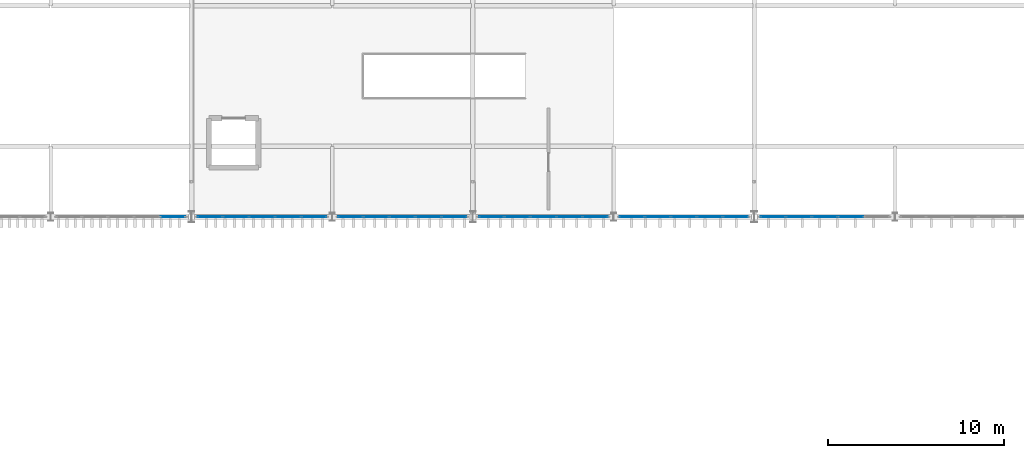
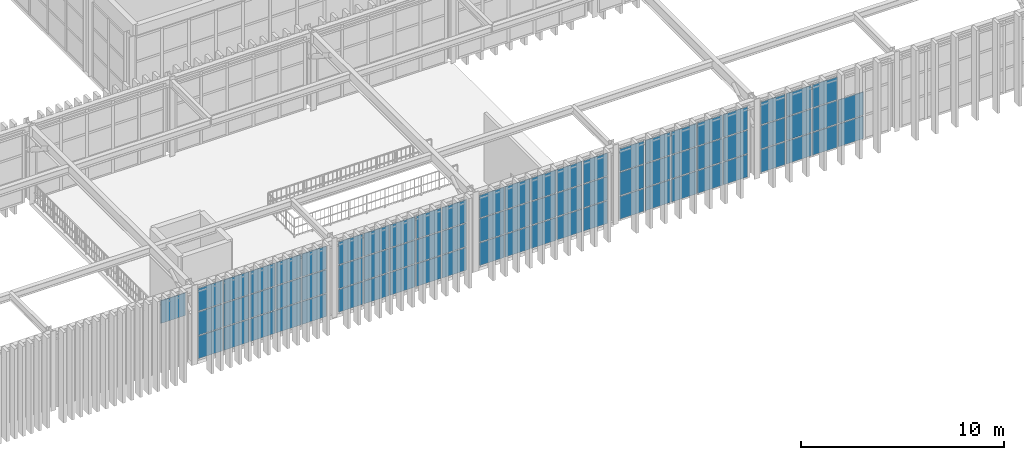
# One storey, part 38 of 61: 72 plates, 6 elements without a shape of their own.
"""IFC4 building model written with IfcOpenShell, lengths in metres."""

from ifc_helpers import new_model, si_unit, direction, frame, origin, origin_2d, place, context, subcontext, project, spatial, rectangle, extrude, material, layer, layer_set, type_object, element, aggregate, save


model = new_model("IFC4")

# Units and contexts
model_context = context("Model", 3, precision=1e-05, world=origin(), true_north=direction((0.0, 1.0)))
body_context = subcontext(model_context, "Body", "Model", "MODEL_VIEW")
ifc_project = project(units=[si_unit("LENGTHUNIT", "METRE"), si_unit("AREAUNIT", "SQUARE_METRE"), si_unit("VOLUMEUNIT", "CUBIC_METRE"), si_unit("PLANEANGLEUNIT", "RADIAN"), si_unit("MASSUNIT", "GRAM", prefix="KILO")], contexts=[model_context])

# Site, building, storey
site_placement = place(None, origin())
site = spatial("IfcSite", under=ifc_project, at=site_placement, CompositionType="ELEMENT")
building_placement = place(site_placement, origin())
building = spatial("IfcBuilding", under=site, at=building_placement, Name="Serraluz Foothill Cableway Terminal", CompositionType="ELEMENT")
storey_placement = place(building_placement, frame((0.0, 0.0, 15.0)))
storey = spatial("IfcBuildingStorey", under=building, at=storey_placement, Name="L03", CompositionType="ELEMENT", Elevation=15.0)

# Curtain wall, plate
ifc_material_1 = material(Name="Architectural bronze alloy C28000", Category="aluminium")
curtain_wall_type_1 = type_object("IfcCurtainWallType", Name="TYP-CW-620X420", PredefinedType="NOTDEFINED", material=ifc_material_1)
curtain_wall_1_placement = place(storey_placement, origin())
curtain_wall_1 = element("IfcCurtainWall", 1, at=curtain_wall_1_placement, inside=storey, type_object=curtain_wall_type_1, Name="Ribbed Glazed Curtain Wall CW-V1S-L03-64", PredefinedType="NOTDEFINED")
ifc_material_2 = material(Name="Translucent ribbed laminated channel glass", Category="glass")
ifc_layer = layer(ifc_material_2, 0.0419921875, Name="Translucent ribbed laminated channel glass", Category="glass")
ifc_layer_set = layer_set([ifc_layer], Name="Translucent ribbed laminated channel glass")
plate_type = type_object("IfcPlateType", Name="TYP-CW-PNL-42", PredefinedType="CURTAIN_PANEL", material=ifc_layer_set)
plate_1_placement = place(storey_placement, frame((70.94091796875, 56.0, 2.93017578125), z_axis=(0.0, 0.0, 1.0), x_axis=(-1.0, 0.0, 0.0)))
plate_1 = element("IfcPlate", 2, at=plate_1_placement, type_object=plate_type, Name="CW-11 panel 1.3", PredefinedType="CURTAIN_PANEL", context=body_context, shape_type="SweptSolid", body=[
    extrude(rectangle(XDim=1.393310546875, YDim=0.0419921875, at=origin_2d()), origin(), (0.0, 0.0, 1.0), 1.360107421875),
])
aggregate(curtain_wall_1, [plate_1])

# Curtain wall, plates
curtain_wall_type_2 = type_object("IfcCurtainWallType", Name="TYP-CW-640X440", PredefinedType="NOTDEFINED", material=ifc_material_1)
curtain_wall_2_placement = place(storey_placement, origin())
curtain_wall_2 = element("IfcCurtainWall", 3, at=curtain_wall_2_placement, inside=storey, type_object=curtain_wall_type_2, Name="Ribbed Glazed Curtain Wall CW-V1S-L03-72", PredefinedType="NOTDEFINED")
plate_2_placement = place(storey_placement, frame((78.9619140625, 56.0, 0.06005859375), z_axis=(0.0, 0.0, 1.0), x_axis=(-1.0, 0.0, 0.0)))
plate_2 = element("IfcPlate", 4, at=plate_2_placement, type_object=plate_type, Name="CW-12 panel 1.1", PredefinedType="CURTAIN_PANEL", context=body_context, shape_type="SweptSolid", body=[
    extrude(rectangle(XDim=1.393310546875, YDim=0.0419921875, at=origin_2d()), origin(), (0.0, 0.0, 1.0), 1.360107421875),
])
plate_3_placement = place(storey_placement, frame((78.9619140625, 56.0, 1.47998046875), z_axis=(0.0, 0.0, 1.0), x_axis=(-1.0, 0.0, 0.0)))
plate_3 = element("IfcPlate", 5, at=plate_3_placement, type_object=plate_type, Name="CW-12 panel 1.2", PredefinedType="CURTAIN_PANEL", context=body_context, shape_type="SweptSolid", body=[
    extrude(rectangle(XDim=1.393310546875, YDim=0.0419921875, at=origin_2d()), origin(), (0.0, 0.0, 1.0), 1.389892578125),
])
plate_4_placement = place(storey_placement, frame((78.9619140625, 56.0, 2.93017578125), z_axis=(0.0, 0.0, 1.0), x_axis=(-1.0, 0.0, 0.0)))
plate_4 = element("IfcPlate", 6, at=plate_4_placement, type_object=plate_type, Name="CW-12 panel 1.3", PredefinedType="CURTAIN_PANEL", context=body_context, shape_type="SweptSolid", body=[
    extrude(rectangle(XDim=1.393310546875, YDim=0.0419921875, at=origin_2d()), origin(), (0.0, 0.0, 1.0), 1.360107421875),
])
plate_5_placement = place(storey_placement, frame((77.49365234375, 56.0, 0.06005859375), z_axis=(0.0, 0.0, 1.0), x_axis=(-1.0, 0.0, 0.0)))
plate_5 = element("IfcPlate", 7, at=plate_5_placement, type_object=plate_type, Name="CW-12 panel 2.1", PredefinedType="CURTAIN_PANEL", context=body_context, shape_type="SweptSolid", body=[
    extrude(rectangle(XDim=1.423095703125, YDim=0.0419921875, at=origin_2d()), origin(), (0.0, 0.0, 1.0), 1.360107421875),
])
plate_6_placement = place(storey_placement, frame((77.49365234375, 56.0, 1.47998046875), z_axis=(0.0, 0.0, 1.0), x_axis=(-1.0, 0.0, 0.0)))
plate_6 = element("IfcPlate", 8, at=plate_6_placement, type_object=plate_type, Name="CW-12 panel 2.2", PredefinedType="CURTAIN_PANEL", context=body_context, shape_type="SweptSolid", body=[
    extrude(rectangle(XDim=1.423095703125, YDim=0.0419921875, at=origin_2d()), origin(), (0.0, 0.0, 1.0), 1.389892578125),
])
plate_7_placement = place(storey_placement, frame((77.49365234375, 56.0, 2.93017578125), z_axis=(0.0, 0.0, 1.0), x_axis=(-1.0, 0.0, 0.0)))
plate_7 = element("IfcPlate", 9, at=plate_7_placement, type_object=plate_type, Name="CW-12 panel 2.3", PredefinedType="CURTAIN_PANEL", context=body_context, shape_type="SweptSolid", body=[
    extrude(rectangle(XDim=1.423095703125, YDim=0.0419921875, at=origin_2d()), origin(), (0.0, 0.0, 1.0), 1.360107421875),
])
plate_8_placement = place(storey_placement, frame((76.010498046875, 56.0, 0.06005859375), z_axis=(0.0, 0.0, 1.0), x_axis=(-1.0, 0.0, 0.0)))
plate_8 = element("IfcPlate", 10, at=plate_8_placement, type_object=plate_type, Name="CW-12 panel 3.1", PredefinedType="CURTAIN_PANEL", context=body_context, shape_type="SweptSolid", body=[
    extrude(rectangle(XDim=1.423095703125, YDim=0.0419921875, at=origin_2d()), origin(), (0.0, 0.0, 1.0), 1.360107421875),
])
plate_9_placement = place(storey_placement, frame((76.010498046875, 56.0, 1.47998046875), z_axis=(0.0, 0.0, 1.0), x_axis=(-1.0, 0.0, 0.0)))
plate_9 = element("IfcPlate", 11, at=plate_9_placement, type_object=plate_type, Name="CW-12 panel 3.2", PredefinedType="CURTAIN_PANEL", context=body_context, shape_type="SweptSolid", body=[
    extrude(rectangle(XDim=1.423095703125, YDim=0.0419921875, at=origin_2d()), origin(), (0.0, 0.0, 1.0), 1.389892578125),
])
plate_10_placement = place(storey_placement, frame((76.010498046875, 56.0, 2.93017578125), z_axis=(0.0, 0.0, 1.0), x_axis=(-1.0, 0.0, 0.0)))
plate_10 = element("IfcPlate", 12, at=plate_10_placement, type_object=plate_type, Name="CW-12 panel 3.3", PredefinedType="CURTAIN_PANEL", context=body_context, shape_type="SweptSolid", body=[
    extrude(rectangle(XDim=1.423095703125, YDim=0.0419921875, at=origin_2d()), origin(), (0.0, 0.0, 1.0), 1.360107421875),
])
plate_11_placement = place(storey_placement, frame((74.52734375, 56.0, 0.06005859375), z_axis=(0.0, 0.0, 1.0), x_axis=(-1.0, 0.0, 0.0)))
plate_11 = element("IfcPlate", 13, at=plate_11_placement, type_object=plate_type, Name="CW-12 panel 4.1", PredefinedType="CURTAIN_PANEL", context=body_context, shape_type="SweptSolid", body=[
    extrude(rectangle(XDim=1.423095703125, YDim=0.0419921875, at=origin_2d()), origin(), (0.0, 0.0, 1.0), 1.360107421875),
])
plate_12_placement = place(storey_placement, frame((74.52734375, 56.0, 1.47998046875), z_axis=(0.0, 0.0, 1.0), x_axis=(-1.0, 0.0, 0.0)))
plate_12 = element("IfcPlate", 14, at=plate_12_placement, type_object=plate_type, Name="CW-12 panel 4.2", PredefinedType="CURTAIN_PANEL", context=body_context, shape_type="SweptSolid", body=[
    extrude(rectangle(XDim=1.423095703125, YDim=0.0419921875, at=origin_2d()), origin(), (0.0, 0.0, 1.0), 1.389892578125),
])
plate_13_placement = place(storey_placement, frame((74.52734375, 56.0, 2.93017578125), z_axis=(0.0, 0.0, 1.0), x_axis=(-1.0, 0.0, 0.0)))
plate_13 = element("IfcPlate", 15, at=plate_13_placement, type_object=plate_type, Name="CW-12 panel 4.3", PredefinedType="CURTAIN_PANEL", context=body_context, shape_type="SweptSolid", body=[
    extrude(rectangle(XDim=1.423095703125, YDim=0.0419921875, at=origin_2d()), origin(), (0.0, 0.0, 1.0), 1.360107421875),
])
plate_14_placement = place(storey_placement, frame((73.05908203125, 56.0, 0.06005859375), z_axis=(0.0, 0.0, 1.0), x_axis=(-1.0, 0.0, 0.0)))
plate_14 = element("IfcPlate", 16, at=plate_14_placement, type_object=plate_type, Name="CW-12 panel 5.1", PredefinedType="CURTAIN_PANEL", context=body_context, shape_type="SweptSolid", body=[
    extrude(rectangle(XDim=1.393310546875, YDim=0.0419921875, at=origin_2d()), origin(), (0.0, 0.0, 1.0), 1.360107421875),
])
plate_15_placement = place(storey_placement, frame((73.05908203125, 56.0, 1.47998046875), z_axis=(0.0, 0.0, 1.0), x_axis=(-1.0, 0.0, 0.0)))
plate_15 = element("IfcPlate", 17, at=plate_15_placement, type_object=plate_type, Name="CW-12 panel 5.2", PredefinedType="CURTAIN_PANEL", context=body_context, shape_type="SweptSolid", body=[
    extrude(rectangle(XDim=1.393310546875, YDim=0.0419921875, at=origin_2d()), origin(), (0.0, 0.0, 1.0), 1.389892578125),
])
plate_16_placement = place(storey_placement, frame((73.05908203125, 56.0, 2.93017578125), z_axis=(0.0, 0.0, 1.0), x_axis=(-1.0, 0.0, 0.0)))
plate_16 = element("IfcPlate", 18, at=plate_16_placement, type_object=plate_type, Name="CW-12 panel 5.3", PredefinedType="CURTAIN_PANEL", context=body_context, shape_type="SweptSolid", body=[
    extrude(rectangle(XDim=1.393310546875, YDim=0.0419921875, at=origin_2d()), origin(), (0.0, 0.0, 1.0), 1.360107421875),
])
aggregate(curtain_wall_2, [plate_2, plate_3, plate_4, plate_5, plate_6, plate_7, plate_8, plate_9, plate_10, plate_11, plate_12, plate_13, plate_14, plate_15, plate_16])

curtain_wall_type_3 = type_object("IfcCurtainWallType", Name="TYP-CW-680X420", PredefinedType="NOTDEFINED", material=ifc_material_1)
curtain_wall_3_placement = place(storey_placement, origin())
curtain_wall_3 = element("IfcCurtainWall", 19, at=curtain_wall_3_placement, inside=storey, type_object=curtain_wall_type_3, Name="Ribbed Glazed Curtain Wall CW-V1S-L03-80", PredefinedType="NOTDEFINED")
plate_17_placement = place(storey_placement, frame((86.94091796875, 56.0, 0.06005859375), z_axis=(0.0, 0.0, 1.0), x_axis=(-1.0, 0.0, 0.0)))
plate_17 = element("IfcPlate", 20, at=plate_17_placement, type_object=plate_type, Name="CW-13 panel 1.1", PredefinedType="CURTAIN_PANEL", context=body_context, shape_type="SweptSolid", body=[
    extrude(rectangle(XDim=1.393310546875, YDim=0.0419921875, at=origin_2d()), origin(), (0.0, 0.0, 1.0), 1.360107421875),
])
plate_18_placement = place(storey_placement, frame((86.94091796875, 56.0, 1.47998046875), z_axis=(0.0, 0.0, 1.0), x_axis=(-1.0, 0.0, 0.0)))
plate_18 = element("IfcPlate", 21, at=plate_18_placement, type_object=plate_type, Name="CW-13 panel 1.2", PredefinedType="CURTAIN_PANEL", context=body_context, shape_type="SweptSolid", body=[
    extrude(rectangle(XDim=1.393310546875, YDim=0.0419921875, at=origin_2d()), origin(), (0.0, 0.0, 1.0), 1.389892578125),
])
plate_19_placement = place(storey_placement, frame((86.94091796875, 56.0, 2.93017578125), z_axis=(0.0, 0.0, 1.0), x_axis=(-1.0, 0.0, 0.0)))
plate_19 = element("IfcPlate", 22, at=plate_19_placement, type_object=plate_type, Name="CW-13 panel 1.3", PredefinedType="CURTAIN_PANEL", context=body_context, shape_type="SweptSolid", body=[
    extrude(rectangle(XDim=1.393310546875, YDim=0.0419921875, at=origin_2d()), origin(), (0.0, 0.0, 1.0), 1.360107421875),
])
plate_20_placement = place(storey_placement, frame((85.47265625, 56.0, 0.06005859375), z_axis=(0.0, 0.0, 1.0), x_axis=(-1.0, 0.0, 0.0)))
plate_20 = element("IfcPlate", 23, at=plate_20_placement, type_object=plate_type, Name="CW-13 panel 2.1", PredefinedType="CURTAIN_PANEL", context=body_context, shape_type="SweptSolid", body=[
    extrude(rectangle(XDim=1.423095703125, YDim=0.0419921875, at=origin_2d()), origin(), (0.0, 0.0, 1.0), 1.360107421875),
])
plate_21_placement = place(storey_placement, frame((85.47265625, 56.0, 1.47998046875), z_axis=(0.0, 0.0, 1.0), x_axis=(-1.0, 0.0, 0.0)))
plate_21 = element("IfcPlate", 24, at=plate_21_placement, type_object=plate_type, Name="CW-13 panel 2.2", PredefinedType="CURTAIN_PANEL", context=body_context, shape_type="SweptSolid", body=[
    extrude(rectangle(XDim=1.423095703125, YDim=0.0419921875, at=origin_2d()), origin(), (0.0, 0.0, 1.0), 1.389892578125),
])
plate_22_placement = place(storey_placement, frame((85.47265625, 56.0, 2.93017578125), z_axis=(0.0, 0.0, 1.0), x_axis=(-1.0, 0.0, 0.0)))
plate_22 = element("IfcPlate", 25, at=plate_22_placement, type_object=plate_type, Name="CW-13 panel 2.3", PredefinedType="CURTAIN_PANEL", context=body_context, shape_type="SweptSolid", body=[
    extrude(rectangle(XDim=1.423095703125, YDim=0.0419921875, at=origin_2d()), origin(), (0.0, 0.0, 1.0), 1.360107421875),
])
plate_23_placement = place(storey_placement, frame((83.989501953125, 56.0, 0.06005859375), z_axis=(0.0, 0.0, 1.0), x_axis=(-1.0, 0.0, 0.0)))
plate_23 = element("IfcPlate", 26, at=plate_23_placement, type_object=plate_type, Name="CW-13 panel 3.1", PredefinedType="CURTAIN_PANEL", context=body_context, shape_type="SweptSolid", body=[
    extrude(rectangle(XDim=1.423095703125, YDim=0.0419921875, at=origin_2d()), origin(), (0.0, 0.0, 1.0), 1.360107421875),
])
plate_24_placement = place(storey_placement, frame((83.989501953125, 56.0, 1.47998046875), z_axis=(0.0, 0.0, 1.0), x_axis=(-1.0, 0.0, 0.0)))
plate_24 = element("IfcPlate", 27, at=plate_24_placement, type_object=plate_type, Name="CW-13 panel 3.2", PredefinedType="CURTAIN_PANEL", context=body_context, shape_type="SweptSolid", body=[
    extrude(rectangle(XDim=1.423095703125, YDim=0.0419921875, at=origin_2d()), origin(), (0.0, 0.0, 1.0), 1.389892578125),
])
plate_25_placement = place(storey_placement, frame((83.989501953125, 56.0, 2.93017578125), z_axis=(0.0, 0.0, 1.0), x_axis=(-1.0, 0.0, 0.0)))
plate_25 = element("IfcPlate", 28, at=plate_25_placement, type_object=plate_type, Name="CW-13 panel 3.3", PredefinedType="CURTAIN_PANEL", context=body_context, shape_type="SweptSolid", body=[
    extrude(rectangle(XDim=1.423095703125, YDim=0.0419921875, at=origin_2d()), origin(), (0.0, 0.0, 1.0), 1.360107421875),
])
plate_26_placement = place(storey_placement, frame((82.50634765625, 56.0, 0.06005859375), z_axis=(0.0, 0.0, 1.0), x_axis=(-1.0, 0.0, 0.0)))
plate_26 = element("IfcPlate", 29, at=plate_26_placement, type_object=plate_type, Name="CW-13 panel 4.1", PredefinedType="CURTAIN_PANEL", context=body_context, shape_type="SweptSolid", body=[
    extrude(rectangle(XDim=1.423095703125, YDim=0.0419921875, at=origin_2d()), origin(), (0.0, 0.0, 1.0), 1.360107421875),
])
plate_27_placement = place(storey_placement, frame((82.50634765625, 56.0, 1.47998046875), z_axis=(0.0, 0.0, 1.0), x_axis=(-1.0, 0.0, 0.0)))
plate_27 = element("IfcPlate", 30, at=plate_27_placement, type_object=plate_type, Name="CW-13 panel 4.2", PredefinedType="CURTAIN_PANEL", context=body_context, shape_type="SweptSolid", body=[
    extrude(rectangle(XDim=1.423095703125, YDim=0.0419921875, at=origin_2d()), origin(), (0.0, 0.0, 1.0), 1.389892578125),
])
plate_28_placement = place(storey_placement, frame((82.50634765625, 56.0, 2.93017578125), z_axis=(0.0, 0.0, 1.0), x_axis=(-1.0, 0.0, 0.0)))
plate_28 = element("IfcPlate", 31, at=plate_28_placement, type_object=plate_type, Name="CW-13 panel 4.3", PredefinedType="CURTAIN_PANEL", context=body_context, shape_type="SweptSolid", body=[
    extrude(rectangle(XDim=1.423095703125, YDim=0.0419921875, at=origin_2d()), origin(), (0.0, 0.0, 1.0), 1.360107421875),
])
plate_29_placement = place(storey_placement, frame((81.0380859375, 56.0, 0.06005859375), z_axis=(0.0, 0.0, 1.0), x_axis=(-1.0, 0.0, 0.0)))
plate_29 = element("IfcPlate", 32, at=plate_29_placement, type_object=plate_type, Name="CW-13 panel 5.1", PredefinedType="CURTAIN_PANEL", context=body_context, shape_type="SweptSolid", body=[
    extrude(rectangle(XDim=1.393310546875, YDim=0.0419921875, at=origin_2d()), origin(), (0.0, 0.0, 1.0), 1.360107421875),
])
plate_30_placement = place(storey_placement, frame((81.0380859375, 56.0, 1.47998046875), z_axis=(0.0, 0.0, 1.0), x_axis=(-1.0, 0.0, 0.0)))
plate_30 = element("IfcPlate", 33, at=plate_30_placement, type_object=plate_type, Name="CW-13 panel 5.2", PredefinedType="CURTAIN_PANEL", context=body_context, shape_type="SweptSolid", body=[
    extrude(rectangle(XDim=1.393310546875, YDim=0.0419921875, at=origin_2d()), origin(), (0.0, 0.0, 1.0), 1.389892578125),
])
plate_31_placement = place(storey_placement, frame((81.0380859375, 56.0, 2.93017578125), z_axis=(0.0, 0.0, 1.0), x_axis=(-1.0, 0.0, 0.0)))
plate_31 = element("IfcPlate", 34, at=plate_31_placement, type_object=plate_type, Name="CW-13 panel 5.3", PredefinedType="CURTAIN_PANEL", context=body_context, shape_type="SweptSolid", body=[
    extrude(rectangle(XDim=1.393310546875, YDim=0.0419921875, at=origin_2d()), origin(), (0.0, 0.0, 1.0), 1.360107421875),
])
aggregate(curtain_wall_3, [plate_17, plate_18, plate_19, plate_20, plate_21, plate_22, plate_23, plate_24, plate_25, plate_26, plate_27, plate_28, plate_29, plate_30, plate_31])

curtain_wall_type_4 = type_object("IfcCurtainWallType", Name="TYP-CW-480X380", PredefinedType="NOTDEFINED", material=ifc_material_1)
curtain_wall_4_placement = place(storey_placement, origin())
curtain_wall_4 = element("IfcCurtainWall", 35, at=curtain_wall_4_placement, inside=storey, type_object=curtain_wall_type_4, Name="Ribbed Glazed Curtain Wall CW-V1S-L03-88", PredefinedType="NOTDEFINED")
plate_32_placement = place(storey_placement, frame((94.9619140625, 56.0, 0.06005859375), z_axis=(0.0, 0.0, 1.0), x_axis=(-1.0, 0.0, 0.0)))
plate_32 = element("IfcPlate", 36, at=plate_32_placement, type_object=plate_type, Name="CW-14 panel 1.1", PredefinedType="CURTAIN_PANEL", context=body_context, shape_type="SweptSolid", body=[
    extrude(rectangle(XDim=1.393310546875, YDim=0.0419921875, at=origin_2d()), origin(), (0.0, 0.0, 1.0), 1.360107421875),
])
plate_33_placement = place(storey_placement, frame((94.9619140625, 56.0, 1.47998046875), z_axis=(0.0, 0.0, 1.0), x_axis=(-1.0, 0.0, 0.0)))
plate_33 = element("IfcPlate", 37, at=plate_33_placement, type_object=plate_type, Name="CW-14 panel 1.2", PredefinedType="CURTAIN_PANEL", context=body_context, shape_type="SweptSolid", body=[
    extrude(rectangle(XDim=1.393310546875, YDim=0.0419921875, at=origin_2d()), origin(), (0.0, 0.0, 1.0), 1.389892578125),
])
plate_34_placement = place(storey_placement, frame((94.9619140625, 56.0, 2.93017578125), z_axis=(0.0, 0.0, 1.0), x_axis=(-1.0, 0.0, 0.0)))
plate_34 = element("IfcPlate", 38, at=plate_34_placement, type_object=plate_type, Name="CW-14 panel 1.3", PredefinedType="CURTAIN_PANEL", context=body_context, shape_type="SweptSolid", body=[
    extrude(rectangle(XDim=1.393310546875, YDim=0.0419921875, at=origin_2d()), origin(), (0.0, 0.0, 1.0), 1.360107421875),
])
plate_35_placement = place(storey_placement, frame((93.49365234375, 56.0, 0.06005859375), z_axis=(0.0, 0.0, 1.0), x_axis=(-1.0, 0.0, 0.0)))
plate_35 = element("IfcPlate", 39, at=plate_35_placement, type_object=plate_type, Name="CW-14 panel 2.1", PredefinedType="CURTAIN_PANEL", context=body_context, shape_type="SweptSolid", body=[
    extrude(rectangle(XDim=1.423095703125, YDim=0.0419921875, at=origin_2d()), origin(), (0.0, 0.0, 1.0), 1.360107421875),
])
plate_36_placement = place(storey_placement, frame((93.49365234375, 56.0, 1.47998046875), z_axis=(0.0, 0.0, 1.0), x_axis=(-1.0, 0.0, 0.0)))
plate_36 = element("IfcPlate", 40, at=plate_36_placement, type_object=plate_type, Name="CW-14 panel 2.2", PredefinedType="CURTAIN_PANEL", context=body_context, shape_type="SweptSolid", body=[
    extrude(rectangle(XDim=1.423095703125, YDim=0.0419921875, at=origin_2d()), origin(), (0.0, 0.0, 1.0), 1.389892578125),
])
plate_37_placement = place(storey_placement, frame((93.49365234375, 56.0, 2.93017578125), z_axis=(0.0, 0.0, 1.0), x_axis=(-1.0, 0.0, 0.0)))
plate_37 = element("IfcPlate", 41, at=plate_37_placement, type_object=plate_type, Name="CW-14 panel 2.3", PredefinedType="CURTAIN_PANEL", context=body_context, shape_type="SweptSolid", body=[
    extrude(rectangle(XDim=1.423095703125, YDim=0.0419921875, at=origin_2d()), origin(), (0.0, 0.0, 1.0), 1.360107421875),
])
plate_38_placement = place(storey_placement, frame((92.010498046875, 56.0, 0.06005859375), z_axis=(0.0, 0.0, 1.0), x_axis=(-1.0, 0.0, 0.0)))
plate_38 = element("IfcPlate", 42, at=plate_38_placement, type_object=plate_type, Name="CW-14 panel 3.1", PredefinedType="CURTAIN_PANEL", context=body_context, shape_type="SweptSolid", body=[
    extrude(rectangle(XDim=1.423095703125, YDim=0.0419921875, at=origin_2d()), origin(), (0.0, 0.0, 1.0), 1.360107421875),
])
plate_39_placement = place(storey_placement, frame((92.010498046875, 56.0, 1.47998046875), z_axis=(0.0, 0.0, 1.0), x_axis=(-1.0, 0.0, 0.0)))
plate_39 = element("IfcPlate", 43, at=plate_39_placement, type_object=plate_type, Name="CW-14 panel 3.2", PredefinedType="CURTAIN_PANEL", context=body_context, shape_type="SweptSolid", body=[
    extrude(rectangle(XDim=1.423095703125, YDim=0.0419921875, at=origin_2d()), origin(), (0.0, 0.0, 1.0), 1.389892578125),
])
plate_40_placement = place(storey_placement, frame((92.010498046875, 56.0, 2.93017578125), z_axis=(0.0, 0.0, 1.0), x_axis=(-1.0, 0.0, 0.0)))
plate_40 = element("IfcPlate", 44, at=plate_40_placement, type_object=plate_type, Name="CW-14 panel 3.3", PredefinedType="CURTAIN_PANEL", context=body_context, shape_type="SweptSolid", body=[
    extrude(rectangle(XDim=1.423095703125, YDim=0.0419921875, at=origin_2d()), origin(), (0.0, 0.0, 1.0), 1.360107421875),
])
plate_41_placement = place(storey_placement, frame((90.52734375, 56.0, 0.06005859375), z_axis=(0.0, 0.0, 1.0), x_axis=(-1.0, 0.0, 0.0)))
plate_41 = element("IfcPlate", 45, at=plate_41_placement, type_object=plate_type, Name="CW-14 panel 4.1", PredefinedType="CURTAIN_PANEL", context=body_context, shape_type="SweptSolid", body=[
    extrude(rectangle(XDim=1.423095703125, YDim=0.0419921875, at=origin_2d()), origin(), (0.0, 0.0, 1.0), 1.360107421875),
])
plate_42_placement = place(storey_placement, frame((90.52734375, 56.0, 1.47998046875), z_axis=(0.0, 0.0, 1.0), x_axis=(-1.0, 0.0, 0.0)))
plate_42 = element("IfcPlate", 46, at=plate_42_placement, type_object=plate_type, Name="CW-14 panel 4.2", PredefinedType="CURTAIN_PANEL", context=body_context, shape_type="SweptSolid", body=[
    extrude(rectangle(XDim=1.423095703125, YDim=0.0419921875, at=origin_2d()), origin(), (0.0, 0.0, 1.0), 1.389892578125),
])
plate_43_placement = place(storey_placement, frame((90.52734375, 56.0, 2.93017578125), z_axis=(0.0, 0.0, 1.0), x_axis=(-1.0, 0.0, 0.0)))
plate_43 = element("IfcPlate", 47, at=plate_43_placement, type_object=plate_type, Name="CW-14 panel 4.3", PredefinedType="CURTAIN_PANEL", context=body_context, shape_type="SweptSolid", body=[
    extrude(rectangle(XDim=1.423095703125, YDim=0.0419921875, at=origin_2d()), origin(), (0.0, 0.0, 1.0), 1.360107421875),
])
plate_44_placement = place(storey_placement, frame((89.05908203125, 56.0, 0.06005859375), z_axis=(0.0, 0.0, 1.0), x_axis=(-1.0, 0.0, 0.0)))
plate_44 = element("IfcPlate", 48, at=plate_44_placement, type_object=plate_type, Name="CW-14 panel 5.1", PredefinedType="CURTAIN_PANEL", context=body_context, shape_type="SweptSolid", body=[
    extrude(rectangle(XDim=1.393310546875, YDim=0.0419921875, at=origin_2d()), origin(), (0.0, 0.0, 1.0), 1.360107421875),
])
plate_45_placement = place(storey_placement, frame((89.05908203125, 56.0, 1.47998046875), z_axis=(0.0, 0.0, 1.0), x_axis=(-1.0, 0.0, 0.0)))
plate_45 = element("IfcPlate", 49, at=plate_45_placement, type_object=plate_type, Name="CW-14 panel 5.2", PredefinedType="CURTAIN_PANEL", context=body_context, shape_type="SweptSolid", body=[
    extrude(rectangle(XDim=1.393310546875, YDim=0.0419921875, at=origin_2d()), origin(), (0.0, 0.0, 1.0), 1.389892578125),
])
plate_46_placement = place(storey_placement, frame((89.05908203125, 56.0, 2.93017578125), z_axis=(0.0, 0.0, 1.0), x_axis=(-1.0, 0.0, 0.0)))
plate_46 = element("IfcPlate", 50, at=plate_46_placement, type_object=plate_type, Name="CW-14 panel 5.3", PredefinedType="CURTAIN_PANEL", context=body_context, shape_type="SweptSolid", body=[
    extrude(rectangle(XDim=1.393310546875, YDim=0.0419921875, at=origin_2d()), origin(), (0.0, 0.0, 1.0), 1.360107421875),
])
aggregate(curtain_wall_4, [plate_32, plate_33, plate_34, plate_35, plate_36, plate_37, plate_38, plate_39, plate_40, plate_41, plate_42, plate_43, plate_44, plate_45, plate_46])

curtain_wall_type_5 = type_object("IfcCurtainWallType", Name="TYP-CW-480X420", PredefinedType="NOTDEFINED", material=ifc_material_1)
curtain_wall_5_placement = place(storey_placement, origin())
curtain_wall_5 = element("IfcCurtainWall", 51, at=curtain_wall_5_placement, inside=storey, type_object=curtain_wall_type_5, Name="Ribbed Glazed Curtain Wall CW-V1S-L03-96", PredefinedType="NOTDEFINED")
plate_47_placement = place(storey_placement, frame((102.94091796875, 56.0, 0.06005859375), z_axis=(0.0, 0.0, 1.0), x_axis=(-1.0, 0.0, 0.0)))
plate_47 = element("IfcPlate", 52, at=plate_47_placement, type_object=plate_type, Name="CW-15 panel 1.1", PredefinedType="CURTAIN_PANEL", context=body_context, shape_type="SweptSolid", body=[
    extrude(rectangle(XDim=1.393310546875, YDim=0.0419921875, at=origin_2d()), origin(), (0.0, 0.0, 1.0), 1.360107421875),
])
plate_48_placement = place(storey_placement, frame((102.94091796875, 56.0, 1.47998046875), z_axis=(0.0, 0.0, 1.0), x_axis=(-1.0, 0.0, 0.0)))
plate_48 = element("IfcPlate", 53, at=plate_48_placement, type_object=plate_type, Name="CW-15 panel 1.2", PredefinedType="CURTAIN_PANEL", context=body_context, shape_type="SweptSolid", body=[
    extrude(rectangle(XDim=1.393310546875, YDim=0.0419921875, at=origin_2d()), origin(), (0.0, 0.0, 1.0), 1.389892578125),
])
plate_49_placement = place(storey_placement, frame((102.94091796875, 56.0, 2.93017578125), z_axis=(0.0, 0.0, 1.0), x_axis=(-1.0, 0.0, 0.0)))
plate_49 = element("IfcPlate", 54, at=plate_49_placement, type_object=plate_type, Name="CW-15 panel 1.3", PredefinedType="CURTAIN_PANEL", context=body_context, shape_type="SweptSolid", body=[
    extrude(rectangle(XDim=1.393310546875, YDim=0.0419921875, at=origin_2d()), origin(), (0.0, 0.0, 1.0), 1.360107421875),
])
plate_50_placement = place(storey_placement, frame((101.47265625, 56.0, 0.06005859375), z_axis=(0.0, 0.0, 1.0), x_axis=(-1.0, 0.0, 0.0)))
plate_50 = element("IfcPlate", 55, at=plate_50_placement, type_object=plate_type, Name="CW-15 panel 2.1", PredefinedType="CURTAIN_PANEL", context=body_context, shape_type="SweptSolid", body=[
    extrude(rectangle(XDim=1.423095703125, YDim=0.0419921875, at=origin_2d()), origin(), (0.0, 0.0, 1.0), 1.360107421875),
])
plate_51_placement = place(storey_placement, frame((101.47265625, 56.0, 1.47998046875), z_axis=(0.0, 0.0, 1.0), x_axis=(-1.0, 0.0, 0.0)))
plate_51 = element("IfcPlate", 56, at=plate_51_placement, type_object=plate_type, Name="CW-15 panel 2.2", PredefinedType="CURTAIN_PANEL", context=body_context, shape_type="SweptSolid", body=[
    extrude(rectangle(XDim=1.423095703125, YDim=0.0419921875, at=origin_2d()), origin(), (0.0, 0.0, 1.0), 1.389892578125),
])
plate_52_placement = place(storey_placement, frame((101.47265625, 56.0, 2.93017578125), z_axis=(0.0, 0.0, 1.0), x_axis=(-1.0, 0.0, 0.0)))
plate_52 = element("IfcPlate", 57, at=plate_52_placement, type_object=plate_type, Name="CW-15 panel 2.3", PredefinedType="CURTAIN_PANEL", context=body_context, shape_type="SweptSolid", body=[
    extrude(rectangle(XDim=1.423095703125, YDim=0.0419921875, at=origin_2d()), origin(), (0.0, 0.0, 1.0), 1.360107421875),
])
plate_53_placement = place(storey_placement, frame((99.989501953125, 56.0, 0.06005859375), z_axis=(0.0, 0.0, 1.0), x_axis=(-1.0, 0.0, 0.0)))
plate_53 = element("IfcPlate", 58, at=plate_53_placement, type_object=plate_type, Name="CW-15 panel 3.1", PredefinedType="CURTAIN_PANEL", context=body_context, shape_type="SweptSolid", body=[
    extrude(rectangle(XDim=1.423095703125, YDim=0.0419921875, at=origin_2d()), origin(), (0.0, 0.0, 1.0), 1.360107421875),
])
plate_54_placement = place(storey_placement, frame((99.989501953125, 56.0, 1.47998046875), z_axis=(0.0, 0.0, 1.0), x_axis=(-1.0, 0.0, 0.0)))
plate_54 = element("IfcPlate", 59, at=plate_54_placement, type_object=plate_type, Name="CW-15 panel 3.2", PredefinedType="CURTAIN_PANEL", context=body_context, shape_type="SweptSolid", body=[
    extrude(rectangle(XDim=1.423095703125, YDim=0.0419921875, at=origin_2d()), origin(), (0.0, 0.0, 1.0), 1.389892578125),
])
plate_55_placement = place(storey_placement, frame((99.989501953125, 56.0, 2.93017578125), z_axis=(0.0, 0.0, 1.0), x_axis=(-1.0, 0.0, 0.0)))
plate_55 = element("IfcPlate", 60, at=plate_55_placement, type_object=plate_type, Name="CW-15 panel 3.3", PredefinedType="CURTAIN_PANEL", context=body_context, shape_type="SweptSolid", body=[
    extrude(rectangle(XDim=1.423095703125, YDim=0.0419921875, at=origin_2d()), origin(), (0.0, 0.0, 1.0), 1.360107421875),
])
plate_56_placement = place(storey_placement, frame((98.50634765625, 56.0, 0.06005859375), z_axis=(0.0, 0.0, 1.0), x_axis=(-1.0, 0.0, 0.0)))
plate_56 = element("IfcPlate", 61, at=plate_56_placement, type_object=plate_type, Name="CW-15 panel 4.1", PredefinedType="CURTAIN_PANEL", context=body_context, shape_type="SweptSolid", body=[
    extrude(rectangle(XDim=1.423095703125, YDim=0.0419921875, at=origin_2d()), origin(), (0.0, 0.0, 1.0), 1.360107421875),
])
plate_57_placement = place(storey_placement, frame((98.50634765625, 56.0, 1.47998046875), z_axis=(0.0, 0.0, 1.0), x_axis=(-1.0, 0.0, 0.0)))
plate_57 = element("IfcPlate", 62, at=plate_57_placement, type_object=plate_type, Name="CW-15 panel 4.2", PredefinedType="CURTAIN_PANEL", context=body_context, shape_type="SweptSolid", body=[
    extrude(rectangle(XDim=1.423095703125, YDim=0.0419921875, at=origin_2d()), origin(), (0.0, 0.0, 1.0), 1.389892578125),
])
plate_58_placement = place(storey_placement, frame((98.50634765625, 56.0, 2.93017578125), z_axis=(0.0, 0.0, 1.0), x_axis=(-1.0, 0.0, 0.0)))
plate_58 = element("IfcPlate", 63, at=plate_58_placement, type_object=plate_type, Name="CW-15 panel 4.3", PredefinedType="CURTAIN_PANEL", context=body_context, shape_type="SweptSolid", body=[
    extrude(rectangle(XDim=1.423095703125, YDim=0.0419921875, at=origin_2d()), origin(), (0.0, 0.0, 1.0), 1.360107421875),
])
plate_59_placement = place(storey_placement, frame((97.0380859375, 56.0, 0.06005859375), z_axis=(0.0, 0.0, 1.0), x_axis=(-1.0, 0.0, 0.0)))
plate_59 = element("IfcPlate", 64, at=plate_59_placement, type_object=plate_type, Name="CW-15 panel 5.1", PredefinedType="CURTAIN_PANEL", context=body_context, shape_type="SweptSolid", body=[
    extrude(rectangle(XDim=1.393310546875, YDim=0.0419921875, at=origin_2d()), origin(), (0.0, 0.0, 1.0), 1.360107421875),
])
plate_60_placement = place(storey_placement, frame((97.0380859375, 56.0, 1.47998046875), z_axis=(0.0, 0.0, 1.0), x_axis=(-1.0, 0.0, 0.0)))
plate_60 = element("IfcPlate", 65, at=plate_60_placement, type_object=plate_type, Name="CW-15 panel 5.2", PredefinedType="CURTAIN_PANEL", context=body_context, shape_type="SweptSolid", body=[
    extrude(rectangle(XDim=1.393310546875, YDim=0.0419921875, at=origin_2d()), origin(), (0.0, 0.0, 1.0), 1.389892578125),
])
plate_61_placement = place(storey_placement, frame((97.0380859375, 56.0, 2.93017578125), z_axis=(0.0, 0.0, 1.0), x_axis=(-1.0, 0.0, 0.0)))
plate_61 = element("IfcPlate", 66, at=plate_61_placement, type_object=plate_type, Name="CW-15 panel 5.3", PredefinedType="CURTAIN_PANEL", context=body_context, shape_type="SweptSolid", body=[
    extrude(rectangle(XDim=1.393310546875, YDim=0.0419921875, at=origin_2d()), origin(), (0.0, 0.0, 1.0), 1.360107421875),
])
aggregate(curtain_wall_5, [plate_47, plate_48, plate_49, plate_50, plate_51, plate_52, plate_53, plate_54, plate_55, plate_56, plate_57, plate_58, plate_59, plate_60, plate_61])

curtain_wall_type_6 = type_object("IfcCurtainWallType", Name="TYP-CW-440X360", PredefinedType="NOTDEFINED", material=ifc_material_1)
curtain_wall_6_placement = place(storey_placement, origin())
curtain_wall_6 = element("IfcCurtainWall", 67, at=curtain_wall_6_placement, inside=storey, type_object=curtain_wall_type_6, Name="Ribbed Glazed Curtain Wall CW-V1S-L03-104", PredefinedType="NOTDEFINED")
plate_62_placement = place(storey_placement, frame((109.49365234375, 56.0, 0.06005859375), z_axis=(0.0, 0.0, 1.0), x_axis=(-1.0, 0.0, 0.0)))
plate_62 = element("IfcPlate", 68, at=plate_62_placement, type_object=plate_type, Name="CW-16 panel 2.1", PredefinedType="CURTAIN_PANEL", context=body_context, shape_type="SweptSolid", body=[
    extrude(rectangle(XDim=1.423095703125, YDim=0.0419921875, at=origin_2d()), origin(), (0.0, 0.0, 1.0), 1.360107421875),
])
plate_63_placement = place(storey_placement, frame((109.49365234375, 56.0, 1.47998046875), z_axis=(0.0, 0.0, 1.0), x_axis=(-1.0, 0.0, 0.0)))
plate_63 = element("IfcPlate", 69, at=plate_63_placement, type_object=plate_type, Name="CW-16 panel 2.2", PredefinedType="CURTAIN_PANEL", context=body_context, shape_type="SweptSolid", body=[
    extrude(rectangle(XDim=1.423095703125, YDim=0.0419921875, at=origin_2d()), origin(), (0.0, 0.0, 1.0), 1.389892578125),
])
plate_64_placement = place(storey_placement, frame((108.010498046875, 56.0, 0.06005859375), z_axis=(0.0, 0.0, 1.0), x_axis=(-1.0, 0.0, 0.0)))
plate_64 = element("IfcPlate", 70, at=plate_64_placement, type_object=plate_type, Name="CW-16 panel 3.1", PredefinedType="CURTAIN_PANEL", context=body_context, shape_type="SweptSolid", body=[
    extrude(rectangle(XDim=1.423095703125, YDim=0.0419921875, at=origin_2d()), origin(), (0.0, 0.0, 1.0), 1.360107421875),
])
plate_65_placement = place(storey_placement, frame((108.010498046875, 56.0, 1.47998046875), z_axis=(0.0, 0.0, 1.0), x_axis=(-1.0, 0.0, 0.0)))
plate_65 = element("IfcPlate", 71, at=plate_65_placement, type_object=plate_type, Name="CW-16 panel 3.2", PredefinedType="CURTAIN_PANEL", context=body_context, shape_type="SweptSolid", body=[
    extrude(rectangle(XDim=1.423095703125, YDim=0.0419921875, at=origin_2d()), origin(), (0.0, 0.0, 1.0), 1.389892578125),
])
plate_66_placement = place(storey_placement, frame((108.010498046875, 56.0, 2.93017578125), z_axis=(0.0, 0.0, 1.0), x_axis=(-1.0, 0.0, 0.0)))
plate_66 = element("IfcPlate", 72, at=plate_66_placement, type_object=plate_type, Name="CW-16 panel 3.3", PredefinedType="CURTAIN_PANEL", context=body_context, shape_type="SweptSolid", body=[
    extrude(rectangle(XDim=1.423095703125, YDim=0.0419921875, at=origin_2d()), origin(), (0.0, 0.0, 1.0), 1.360107421875),
])
plate_67_placement = place(storey_placement, frame((106.52734375, 56.0, 0.06005859375), z_axis=(0.0, 0.0, 1.0), x_axis=(-1.0, 0.0, 0.0)))
plate_67 = element("IfcPlate", 73, at=plate_67_placement, type_object=plate_type, Name="CW-16 panel 4.1", PredefinedType="CURTAIN_PANEL", context=body_context, shape_type="SweptSolid", body=[
    extrude(rectangle(XDim=1.423095703125, YDim=0.0419921875, at=origin_2d()), origin(), (0.0, 0.0, 1.0), 1.360107421875),
])
plate_68_placement = place(storey_placement, frame((106.52734375, 56.0, 1.47998046875), z_axis=(0.0, 0.0, 1.0), x_axis=(-1.0, 0.0, 0.0)))
plate_68 = element("IfcPlate", 74, at=plate_68_placement, type_object=plate_type, Name="CW-16 panel 4.2", PredefinedType="CURTAIN_PANEL", context=body_context, shape_type="SweptSolid", body=[
    extrude(rectangle(XDim=1.423095703125, YDim=0.0419921875, at=origin_2d()), origin(), (0.0, 0.0, 1.0), 1.389892578125),
])
plate_69_placement = place(storey_placement, frame((106.52734375, 56.0, 2.93017578125), z_axis=(0.0, 0.0, 1.0), x_axis=(-1.0, 0.0, 0.0)))
plate_69 = element("IfcPlate", 75, at=plate_69_placement, type_object=plate_type, Name="CW-16 panel 4.3", PredefinedType="CURTAIN_PANEL", context=body_context, shape_type="SweptSolid", body=[
    extrude(rectangle(XDim=1.423095703125, YDim=0.0419921875, at=origin_2d()), origin(), (0.0, 0.0, 1.0), 1.360107421875),
])
plate_70_placement = place(storey_placement, frame((105.05908203125, 56.0, 0.06005859375), z_axis=(0.0, 0.0, 1.0), x_axis=(-1.0, 0.0, 0.0)))
plate_70 = element("IfcPlate", 76, at=plate_70_placement, type_object=plate_type, Name="CW-16 panel 5.1", PredefinedType="CURTAIN_PANEL", context=body_context, shape_type="SweptSolid", body=[
    extrude(rectangle(XDim=1.393310546875, YDim=0.0419921875, at=origin_2d()), origin(), (0.0, 0.0, 1.0), 1.360107421875),
])
plate_71_placement = place(storey_placement, frame((105.05908203125, 56.0, 1.47998046875), z_axis=(0.0, 0.0, 1.0), x_axis=(-1.0, 0.0, 0.0)))
plate_71 = element("IfcPlate", 77, at=plate_71_placement, type_object=plate_type, Name="CW-16 panel 5.2", PredefinedType="CURTAIN_PANEL", context=body_context, shape_type="SweptSolid", body=[
    extrude(rectangle(XDim=1.393310546875, YDim=0.0419921875, at=origin_2d()), origin(), (0.0, 0.0, 1.0), 1.389892578125),
])
plate_72_placement = place(storey_placement, frame((105.05908203125, 56.0, 2.93017578125), z_axis=(0.0, 0.0, 1.0), x_axis=(-1.0, 0.0, 0.0)))
plate_72 = element("IfcPlate", 78, at=plate_72_placement, type_object=plate_type, Name="CW-16 panel 5.3", PredefinedType="CURTAIN_PANEL", context=body_context, shape_type="SweptSolid", body=[
    extrude(rectangle(XDim=1.393310546875, YDim=0.0419921875, at=origin_2d()), origin(), (0.0, 0.0, 1.0), 1.360107421875),
])
aggregate(curtain_wall_6, [plate_62, plate_63, plate_64, plate_65, plate_66, plate_67, plate_68, plate_69, plate_70, plate_71, plate_72])

save(model, "model.ifc")
